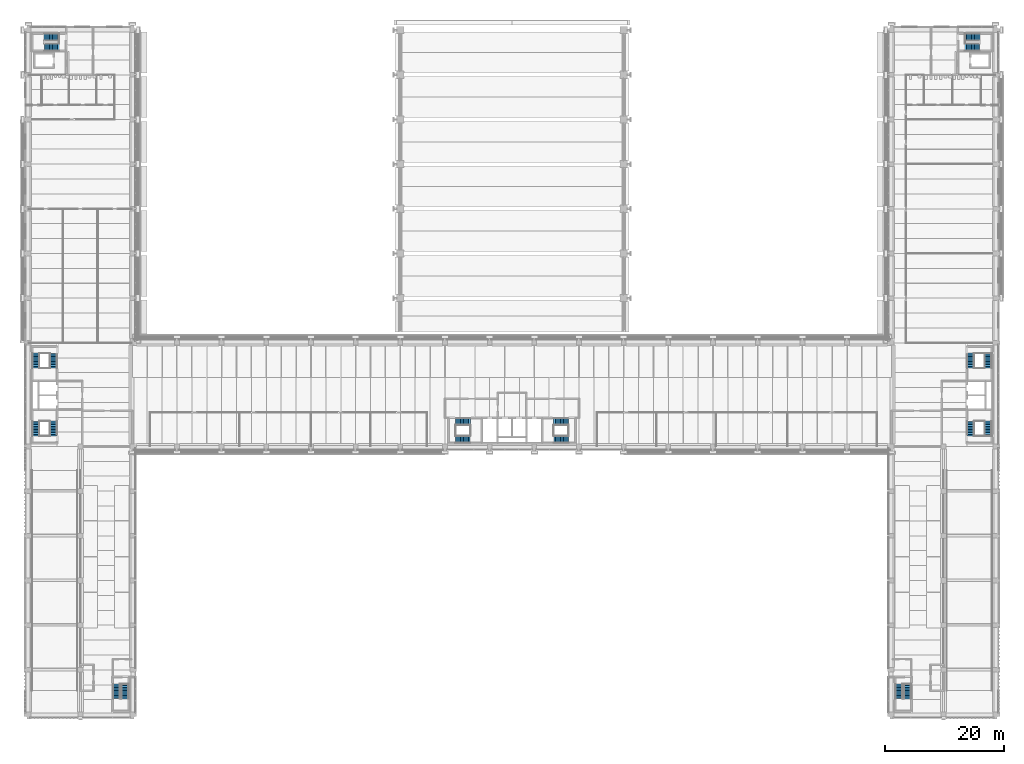
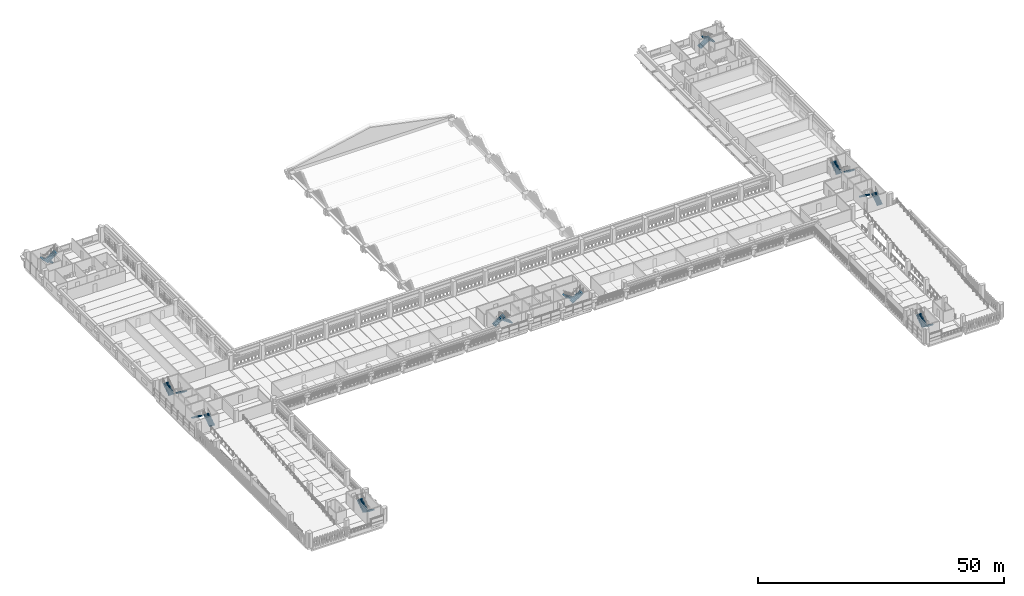
# One storey, part 38 of 71: 20 stair flights, 10 elements without a shape of their own.
"""IFC4 building model written with IfcOpenShell, lengths in metres."""

from ifc_helpers import new_model, si_unit, direction, frame, origin, place, context, subcontext, project, spatial, polyline, outline, extrude, material, type_object, element, aggregate, save


model = new_model("IFC4")

# Units and contexts
model_context = context("Model", 3, precision=1e-05, world=origin(), true_north=direction((0.0, 1.0)))
body_context = subcontext(model_context, "Body", "Model", "MODEL_VIEW")
ifc_project = project(units=[si_unit("LENGTHUNIT", "METRE"), si_unit("AREAUNIT", "SQUARE_METRE"), si_unit("VOLUMEUNIT", "CUBIC_METRE"), si_unit("PLANEANGLEUNIT", "RADIAN"), si_unit("MASSUNIT", "GRAM", prefix="KILO")], contexts=[model_context])

# Site, building, storey
site_placement = place(None, origin())
site = spatial("IfcSite", under=ifc_project, at=site_placement, CompositionType="ELEMENT")
building_placement = place(site_placement, origin())
building = spatial("IfcBuilding", under=site, at=building_placement, Name="Cour d'Honneur Mobility Palace", CompositionType="ELEMENT")
storey_placement = place(building_placement, frame((0.0, 0.0, 15.60009765625)))
storey = spatial("IfcBuildingStorey", under=building, at=storey_placement, Name="L04", CompositionType="ELEMENT", Elevation=15.60009765625)

# Stair, stair flights
ifc_material_1 = material(Name="Concrete C50", Category="concrete")
stair_type = type_object("IfcStairType", Name="Stair 20 risers", PredefinedType="HALF_TURN_STAIR", material=ifc_material_1)
stair_1_placement = place(storey_placement, origin())
stair_1 = element("IfcStair", 1, at=stair_1_placement, inside=storey, type_object=stair_type, Name="Stair ST-CW1", PredefinedType="HALF_TURN_STAIR")
ifc_material_2 = material(Name="Concrete C50", Category="concrete")
stair_flight_type = type_object("IfcStairFlightType", Name="Stair flight 1250", PredefinedType="STRAIGHT", material=ifc_material_2)
stair_flight_1_placement = place(storey_placement, frame((4.175048828125, 46.77490234375, 0.0), z_axis=(0.0, 0.0, 1.0), x_axis=(0.0, 1.0, 0.0)))
stair_flight_1 = element("IfcStairFlight", 2, at=stair_flight_1_placement, type_object=stair_flight_type, Name="ST-CW1 flight 1", NumberOfRisers=10, NumberOfTreads=9, PredefinedType="STRAIGHT", RiserHeight=0.185, TreadLength=0.27, context=body_context, shape_type="SweptSolid", body=[
    extrude(outline(polyline([(0.0, 0.0), (0.0, 0.18505859375), (0.27001953125, 0.18505859375), (0.27001953125, 0.3701171875), (0.5400390625, 0.3701171875), (0.5400390625, 0.554931640625), (0.81005859375, 0.554931640625), (0.81005859375, 0.739990234375), (1.080078125, 0.739990234375), (1.080078125, 0.925048828125), (1.35009765625, 0.925048828125), (1.35009765625, 1.110107421875), (1.6201171875, 1.110107421875), (1.6201171875, 1.294921875), (1.889892578125, 1.294921875), (1.889892578125, 1.47998046875), (2.159912109375, 1.47998046875), (2.159912109375, 1.6650390625), (2.429931640625, 1.6650390625), (2.47998046875, 1.6650390625), (2.47998046875, 1.4833984375), (0.26513671875, 0.0), (0.0, 0.0)])), frame((0.0, 0.625, 0.0), z_axis=(0.0, -1.0, 0.0), x_axis=(1.0, 0.0, 0.0)), (0.0, 0.0, 1.0), 1.25),
])
stair_flight_2_placement = place(storey_placement, frame((1.199951171875, 49.205078125, 1.849853515625), z_axis=(0.0, 0.0, 1.0), x_axis=(0.0, -1.0, 0.0)))
stair_flight_2 = element("IfcStairFlight", 3, at=stair_flight_2_placement, type_object=stair_flight_type, Name="ST-CW1 flight 2", NumberOfRisers=10, NumberOfTreads=9, PredefinedType="STRAIGHT", RiserHeight=0.185, TreadLength=0.27, context=body_context, shape_type="SweptSolid", body=[
    extrude(outline(polyline([(0.0, 0.0), (0.0, 0.18505859375), (0.27001953125, 0.18505859375), (0.27001953125, 0.3701171875), (0.5400390625, 0.3701171875), (0.5400390625, 0.554931640625), (0.81005859375, 0.554931640625), (0.81005859375, 0.739990234375), (1.080078125, 0.739990234375), (1.080078125, 0.925048828125), (1.35009765625, 0.925048828125), (1.35009765625, 1.110107421875), (1.6201171875, 1.110107421875), (1.6201171875, 1.294921875), (1.889892578125, 1.294921875), (1.889892578125, 1.47998046875), (2.159912109375, 1.47998046875), (2.159912109375, 1.6650390625), (2.429931640625, 1.6650390625), (2.47998046875, 1.6650390625), (2.47998046875, 1.4833984375), (0.26513671875, 0.0), (0.0, 0.0)])), frame((0.0, 0.625, 0.0), z_axis=(0.0, -1.0, 0.0), x_axis=(1.0, 0.0, 0.0)), (0.0, 0.0, 1.0), 1.25),
])
aggregate(stair_1, [stair_flight_1, stair_flight_2])

stair_2_placement = place(storey_placement, origin())
stair_2 = element("IfcStair", 4, at=stair_2_placement, inside=storey, type_object=stair_type, Name="Stair ST-CW2", PredefinedType="HALF_TURN_STAIR")
stair_flight_3_placement = place(storey_placement, frame((4.175048828125, 60.625, 0.0), z_axis=(0.0, 0.0, 1.0), x_axis=(0.0, -1.0, 0.0)))
stair_flight_3 = element("IfcStairFlight", 5, at=stair_flight_3_placement, type_object=stair_flight_type, Name="ST-CW2 flight 1", NumberOfRisers=10, NumberOfTreads=9, PredefinedType="STRAIGHT", RiserHeight=0.185, TreadLength=0.27, context=body_context, shape_type="SweptSolid", body=[
    extrude(outline(polyline([(0.0, 0.0), (0.0, 0.18505859375), (0.27001953125, 0.18505859375), (0.27001953125, 0.3701171875), (0.5400390625, 0.3701171875), (0.5400390625, 0.554931640625), (0.81005859375, 0.554931640625), (0.81005859375, 0.739990234375), (1.080078125, 0.739990234375), (1.080078125, 0.925048828125), (1.35009765625, 0.925048828125), (1.35009765625, 1.110107421875), (1.6201171875, 1.110107421875), (1.6201171875, 1.294921875), (1.889892578125, 1.294921875), (1.889892578125, 1.47998046875), (2.159912109375, 1.47998046875), (2.159912109375, 1.6650390625), (2.429931640625, 1.6650390625), (2.47998046875, 1.6650390625), (2.47998046875, 1.4833984375), (0.26513671875, 0.0), (0.0, 0.0)])), frame((0.0, 0.625, 0.0), z_axis=(0.0, -1.0, 0.0), x_axis=(1.0, 0.0, 0.0)), (0.0, 0.0, 1.0), 1.25),
])
stair_flight_4_placement = place(storey_placement, frame((1.199951171875, 58.195068359375, 1.849853515625), z_axis=(0.0, 0.0, 1.0), x_axis=(0.0, 1.0, 0.0)))
stair_flight_4 = element("IfcStairFlight", 6, at=stair_flight_4_placement, type_object=stair_flight_type, Name="ST-CW2 flight 2", NumberOfRisers=10, NumberOfTreads=9, PredefinedType="STRAIGHT", RiserHeight=0.185, TreadLength=0.27, context=body_context, shape_type="SweptSolid", body=[
    extrude(outline(polyline([(0.0, 0.0), (0.0, 0.18505859375), (0.27001953125, 0.18505859375), (0.27001953125, 0.3701171875), (0.5400390625, 0.3701171875), (0.5400390625, 0.554931640625), (0.81005859375, 0.554931640625), (0.81005859375, 0.739990234375), (1.080078125, 0.739990234375), (1.080078125, 0.925048828125), (1.35009765625, 0.925048828125), (1.35009765625, 1.110107421875), (1.6201171875, 1.110107421875), (1.6201171875, 1.294921875), (1.889892578125, 1.294921875), (1.889892578125, 1.47998046875), (2.159912109375, 1.47998046875), (2.159912109375, 1.6650390625), (2.429931640625, 1.6650390625), (2.47998046875, 1.6650390625), (2.47998046875, 1.4833984375), (0.26513671875, 0.0), (0.0, 0.0)])), frame((0.0, 0.625, 0.0), z_axis=(0.0, -1.0, 0.0), x_axis=(1.0, 0.0, 0.0)), (0.0, 0.0, 1.0), 1.25),
])
aggregate(stair_2, [stair_flight_3, stair_flight_4])

stair_3_placement = place(storey_placement, origin())
stair_3 = element("IfcStair", 7, at=stair_3_placement, inside=storey, type_object=stair_type, Name="Stair ST-CE1", PredefinedType="HALF_TURN_STAIR")
stair_flight_5_placement = place(storey_placement, frame((161.10009765625, 46.77490234375, 0.0), z_axis=(0.0, 0.0, 1.0), x_axis=(0.0, 1.0, 0.0)))
stair_flight_5 = element("IfcStairFlight", 8, at=stair_flight_5_placement, type_object=stair_flight_type, Name="ST-CE1 flight 1", NumberOfRisers=10, NumberOfTreads=9, PredefinedType="STRAIGHT", RiserHeight=0.185, TreadLength=0.27, context=body_context, shape_type="SweptSolid", body=[
    extrude(outline(polyline([(0.0, 0.0), (0.0, 0.18505859375), (0.27001953125, 0.18505859375), (0.27001953125, 0.3701171875), (0.5400390625, 0.3701171875), (0.5400390625, 0.554931640625), (0.81005859375, 0.554931640625), (0.81005859375, 0.739990234375), (1.080078125, 0.739990234375), (1.080078125, 0.925048828125), (1.35009765625, 0.925048828125), (1.35009765625, 1.110107421875), (1.6201171875, 1.110107421875), (1.6201171875, 1.294921875), (1.889892578125, 1.294921875), (1.889892578125, 1.47998046875), (2.159912109375, 1.47998046875), (2.159912109375, 1.6650390625), (2.429931640625, 1.6650390625), (2.47998046875, 1.6650390625), (2.47998046875, 1.4833984375), (0.26513671875, 0.0), (0.0, 0.0)])), frame((0.0, 0.625, 0.0), z_axis=(0.0, -1.0, 0.0), x_axis=(1.0, 0.0, 0.0)), (0.0, 0.0, 1.0), 1.25),
])
stair_flight_6_placement = place(storey_placement, frame((158.125, 49.205078125, 1.849853515625), z_axis=(0.0, 0.0, 1.0), x_axis=(0.0, -1.0, 0.0)))
stair_flight_6 = element("IfcStairFlight", 9, at=stair_flight_6_placement, type_object=stair_flight_type, Name="ST-CE1 flight 2", NumberOfRisers=10, NumberOfTreads=9, PredefinedType="STRAIGHT", RiserHeight=0.185, TreadLength=0.27, context=body_context, shape_type="SweptSolid", body=[
    extrude(outline(polyline([(0.0, 0.0), (0.0, 0.18505859375), (0.27001953125, 0.18505859375), (0.27001953125, 0.3701171875), (0.5400390625, 0.3701171875), (0.5400390625, 0.554931640625), (0.81005859375, 0.554931640625), (0.81005859375, 0.739990234375), (1.080078125, 0.739990234375), (1.080078125, 0.925048828125), (1.35009765625, 0.925048828125), (1.35009765625, 1.110107421875), (1.6201171875, 1.110107421875), (1.6201171875, 1.294921875), (1.889892578125, 1.294921875), (1.889892578125, 1.47998046875), (2.159912109375, 1.47998046875), (2.159912109375, 1.6650390625), (2.429931640625, 1.6650390625), (2.47998046875, 1.6650390625), (2.47998046875, 1.4833984375), (0.26513671875, 0.0), (0.0, 0.0)])), frame((0.0, 0.625, 0.0), z_axis=(0.0, -1.0, 0.0), x_axis=(1.0, 0.0, 0.0)), (0.0, 0.0, 1.0), 1.25),
])
aggregate(stair_3, [stair_flight_5, stair_flight_6])

stair_4_placement = place(storey_placement, origin())
stair_4 = element("IfcStair", 10, at=stair_4_placement, inside=storey, type_object=stair_type, Name="Stair ST-CE2", PredefinedType="HALF_TURN_STAIR")
stair_flight_7_placement = place(storey_placement, frame((161.10009765625, 60.625, 0.0), z_axis=(0.0, 0.0, 1.0), x_axis=(0.0, -1.0, 0.0)))
stair_flight_7 = element("IfcStairFlight", 11, at=stair_flight_7_placement, type_object=stair_flight_type, Name="ST-CE2 flight 1", NumberOfRisers=10, NumberOfTreads=9, PredefinedType="STRAIGHT", RiserHeight=0.185, TreadLength=0.27, context=body_context, shape_type="SweptSolid", body=[
    extrude(outline(polyline([(0.0, 0.0), (0.0, 0.18505859375), (0.27001953125, 0.18505859375), (0.27001953125, 0.3701171875), (0.5400390625, 0.3701171875), (0.5400390625, 0.554931640625), (0.81005859375, 0.554931640625), (0.81005859375, 0.739990234375), (1.080078125, 0.739990234375), (1.080078125, 0.925048828125), (1.35009765625, 0.925048828125), (1.35009765625, 1.110107421875), (1.6201171875, 1.110107421875), (1.6201171875, 1.294921875), (1.889892578125, 1.294921875), (1.889892578125, 1.47998046875), (2.159912109375, 1.47998046875), (2.159912109375, 1.6650390625), (2.429931640625, 1.6650390625), (2.47998046875, 1.6650390625), (2.47998046875, 1.4833984375), (0.26513671875, 0.0), (0.0, 0.0)])), frame((0.0, 0.625, 0.0), z_axis=(0.0, -1.0, 0.0), x_axis=(1.0, 0.0, 0.0)), (0.0, 0.0, 1.0), 1.25),
])
stair_flight_8_placement = place(storey_placement, frame((158.125, 58.195068359375, 1.849853515625), z_axis=(0.0, 0.0, 1.0), x_axis=(0.0, 1.0, 0.0)))
stair_flight_8 = element("IfcStairFlight", 12, at=stair_flight_8_placement, type_object=stair_flight_type, Name="ST-CE2 flight 2", NumberOfRisers=10, NumberOfTreads=9, PredefinedType="STRAIGHT", RiserHeight=0.185, TreadLength=0.27, context=body_context, shape_type="SweptSolid", body=[
    extrude(outline(polyline([(0.0, 0.0), (0.0, 0.18505859375), (0.27001953125, 0.18505859375), (0.27001953125, 0.3701171875), (0.5400390625, 0.3701171875), (0.5400390625, 0.554931640625), (0.81005859375, 0.554931640625), (0.81005859375, 0.739990234375), (1.080078125, 0.739990234375), (1.080078125, 0.925048828125), (1.35009765625, 0.925048828125), (1.35009765625, 1.110107421875), (1.6201171875, 1.110107421875), (1.6201171875, 1.294921875), (1.889892578125, 1.294921875), (1.889892578125, 1.47998046875), (2.159912109375, 1.47998046875), (2.159912109375, 1.6650390625), (2.429931640625, 1.6650390625), (2.47998046875, 1.6650390625), (2.47998046875, 1.4833984375), (0.26513671875, 0.0), (0.0, 0.0)])), frame((0.0, 0.625, 0.0), z_axis=(0.0, -1.0, 0.0), x_axis=(1.0, 0.0, 0.0)), (0.0, 0.0, 1.0), 1.25),
])
aggregate(stair_4, [stair_flight_7, stair_flight_8])

stair_5_placement = place(storey_placement, origin())
stair_5 = element("IfcStair", 13, at=stair_5_placement, inside=storey, type_object=stair_type, Name="Stair ST-CC1", PredefinedType="HALF_TURN_STAIR")
stair_flight_9_placement = place(storey_placement, frame((71.675048828125, 49.175048828125, 0.0), z_axis=(0.0, 0.0, 1.0), x_axis=(1.0, 0.0, 0.0)))
stair_flight_9 = element("IfcStairFlight", 14, at=stair_flight_9_placement, type_object=stair_flight_type, Name="ST-CC1 flight 1", NumberOfRisers=10, NumberOfTreads=9, PredefinedType="STRAIGHT", RiserHeight=0.185, TreadLength=0.27, context=body_context, shape_type="SweptSolid", body=[
    extrude(outline(polyline([(0.0, 0.0), (0.0, 0.18505859375), (0.27001953125, 0.18505859375), (0.27001953125, 0.3701171875), (0.5400390625, 0.3701171875), (0.5400390625, 0.554931640625), (0.81005859375, 0.554931640625), (0.81005859375, 0.739990234375), (1.080078125, 0.739990234375), (1.080078125, 0.925048828125), (1.35009765625, 0.925048828125), (1.35009765625, 1.110107421875), (1.6201171875, 1.110107421875), (1.6201171875, 1.294921875), (1.889892578125, 1.294921875), (1.889892578125, 1.47998046875), (2.159912109375, 1.47998046875), (2.159912109375, 1.6650390625), (2.429931640625, 1.6650390625), (2.47998046875, 1.6650390625), (2.47998046875, 1.4833984375), (0.26513671875, 0.0), (0.0, 0.0)])), frame((0.0, 0.625, 0.0), z_axis=(0.0, -1.0, 0.0), x_axis=(1.0, 0.0, 0.0)), (0.0, 0.0, 1.0), 1.25),
])
stair_flight_10_placement = place(storey_placement, frame((74.10498046875, 46.199951171875, 1.849853515625), z_axis=(0.0, 0.0, 1.0), x_axis=(-1.0, 0.0, 0.0)))
stair_flight_10 = element("IfcStairFlight", 15, at=stair_flight_10_placement, type_object=stair_flight_type, Name="ST-CC1 flight 2", NumberOfRisers=10, NumberOfTreads=9, PredefinedType="STRAIGHT", RiserHeight=0.185, TreadLength=0.27, context=body_context, shape_type="SweptSolid", body=[
    extrude(outline(polyline([(0.0, 0.0), (0.0, 0.18505859375), (0.27001953125, 0.18505859375), (0.27001953125, 0.3701171875), (0.5400390625, 0.3701171875), (0.5400390625, 0.554931640625), (0.81005859375, 0.554931640625), (0.81005859375, 0.739990234375), (1.080078125, 0.739990234375), (1.080078125, 0.925048828125), (1.35009765625, 0.925048828125), (1.35009765625, 1.110107421875), (1.6201171875, 1.110107421875), (1.6201171875, 1.294921875), (1.889892578125, 1.294921875), (1.889892578125, 1.47998046875), (2.159912109375, 1.47998046875), (2.159912109375, 1.6650390625), (2.429931640625, 1.6650390625), (2.47998046875, 1.6650390625), (2.47998046875, 1.4833984375), (0.26513671875, 0.0), (0.0, 0.0)])), frame((0.0, 0.625, 0.0), z_axis=(0.0, -1.0, 0.0), x_axis=(1.0, 0.0, 0.0)), (0.0, 0.0, 1.0), 1.25),
])
aggregate(stair_5, [stair_flight_9, stair_flight_10])

stair_6_placement = place(storey_placement, origin())
stair_6 = element("IfcStair", 16, at=stair_6_placement, inside=storey, type_object=stair_type, Name="Stair ST-CC2", PredefinedType="HALF_TURN_STAIR")
stair_flight_11_placement = place(storey_placement, frame((90.625, 49.175048828125, 0.0), z_axis=(0.0, 0.0, 1.0), x_axis=(-1.0, 0.0, 0.0)))
stair_flight_11 = element("IfcStairFlight", 17, at=stair_flight_11_placement, type_object=stair_flight_type, Name="ST-CC2 flight 1", NumberOfRisers=10, NumberOfTreads=9, PredefinedType="STRAIGHT", RiserHeight=0.185, TreadLength=0.27, context=body_context, shape_type="SweptSolid", body=[
    extrude(outline(polyline([(0.0, 0.0), (0.0, 0.18505859375), (0.27001953125, 0.18505859375), (0.27001953125, 0.3701171875), (0.5400390625, 0.3701171875), (0.5400390625, 0.554931640625), (0.81005859375, 0.554931640625), (0.81005859375, 0.739990234375), (1.080078125, 0.739990234375), (1.080078125, 0.925048828125), (1.35009765625, 0.925048828125), (1.35009765625, 1.110107421875), (1.6201171875, 1.110107421875), (1.6201171875, 1.294921875), (1.889892578125, 1.294921875), (1.889892578125, 1.47998046875), (2.159912109375, 1.47998046875), (2.159912109375, 1.6650390625), (2.429931640625, 1.6650390625), (2.47998046875, 1.6650390625), (2.47998046875, 1.4833984375), (0.26513671875, 0.0), (0.0, 0.0)])), frame((0.0, 0.625, 0.0), z_axis=(0.0, -1.0, 0.0), x_axis=(1.0, 0.0, 0.0)), (0.0, 0.0, 1.0), 1.25),
])
stair_flight_12_placement = place(storey_placement, frame((88.195068359375, 46.199951171875, 1.849853515625), z_axis=(0.0, 0.0, 1.0), x_axis=(1.0, 0.0, 0.0)))
stair_flight_12 = element("IfcStairFlight", 18, at=stair_flight_12_placement, type_object=stair_flight_type, Name="ST-CC2 flight 2", NumberOfRisers=10, NumberOfTreads=9, PredefinedType="STRAIGHT", RiserHeight=0.185, TreadLength=0.27, context=body_context, shape_type="SweptSolid", body=[
    extrude(outline(polyline([(0.0, 0.0), (0.0, 0.18505859375), (0.27001953125, 0.18505859375), (0.27001953125, 0.3701171875), (0.5400390625, 0.3701171875), (0.5400390625, 0.554931640625), (0.81005859375, 0.554931640625), (0.81005859375, 0.739990234375), (1.080078125, 0.739990234375), (1.080078125, 0.925048828125), (1.35009765625, 0.925048828125), (1.35009765625, 1.110107421875), (1.6201171875, 1.110107421875), (1.6201171875, 1.294921875), (1.889892578125, 1.294921875), (1.889892578125, 1.47998046875), (2.159912109375, 1.47998046875), (2.159912109375, 1.6650390625), (2.429931640625, 1.6650390625), (2.47998046875, 1.6650390625), (2.47998046875, 1.4833984375), (0.26513671875, 0.0), (0.0, 0.0)])), frame((0.0, 0.625, 0.0), z_axis=(0.0, -1.0, 0.0), x_axis=(1.0, 0.0, 0.0)), (0.0, 0.0, 1.0), 1.25),
])
aggregate(stair_6, [stair_flight_11, stair_flight_12])

stair_7_placement = place(storey_placement, origin())
stair_7 = element("IfcStair", 19, at=stair_7_placement, inside=storey, type_object=stair_type, Name="Stair ST-NW1", PredefinedType="HALF_TURN_STAIR")
stair_flight_13_placement = place(storey_placement, frame((5.10009765625, 113.699951171875, 0.0), z_axis=(0.0, 0.0, 1.0), x_axis=(-1.0, 0.0, 0.0)))
stair_flight_13 = element("IfcStairFlight", 20, at=stair_flight_13_placement, type_object=stair_flight_type, Name="ST-NW1 flight 1", NumberOfRisers=10, NumberOfTreads=9, PredefinedType="STRAIGHT", RiserHeight=0.185, TreadLength=0.27, context=body_context, shape_type="SweptSolid", body=[
    extrude(outline(polyline([(0.0, 0.0), (0.0, 0.18505859375), (0.27001953125, 0.18505859375), (0.27001953125, 0.3701171875), (0.5400390625, 0.3701171875), (0.5400390625, 0.554931640625), (0.81005859375, 0.554931640625), (0.81005859375, 0.739990234375), (1.080078125, 0.739990234375), (1.080078125, 0.925048828125), (1.35009765625, 0.925048828125), (1.35009765625, 1.110107421875), (1.6201171875, 1.110107421875), (1.6201171875, 1.294921875), (1.889892578125, 1.294921875), (1.889892578125, 1.47998046875), (2.159912109375, 1.47998046875), (2.159912109375, 1.6650390625), (2.429931640625, 1.6650390625), (2.47998046875, 1.6650390625), (2.47998046875, 1.4833984375), (0.26513671875, 0.0), (0.0, 0.0)])), frame((0.0, 0.625, 0.0), z_axis=(0.0, -1.0, 0.0), x_axis=(1.0, 0.0, 0.0)), (0.0, 0.0, 1.0), 1.25),
])
stair_flight_14_placement = place(storey_placement, frame((2.669921875, 112.02490234375, 1.849853515625), z_axis=(0.0, 0.0, 1.0), x_axis=(1.0, 0.0, 0.0)))
stair_flight_14 = element("IfcStairFlight", 21, at=stair_flight_14_placement, type_object=stair_flight_type, Name="ST-NW1 flight 2", NumberOfRisers=10, NumberOfTreads=9, PredefinedType="STRAIGHT", RiserHeight=0.185, TreadLength=0.27, context=body_context, shape_type="SweptSolid", body=[
    extrude(outline(polyline([(0.0, 0.0), (0.0, 0.18505859375), (0.27001953125, 0.18505859375), (0.27001953125, 0.3701171875), (0.5400390625, 0.3701171875), (0.5400390625, 0.554931640625), (0.81005859375, 0.554931640625), (0.81005859375, 0.739990234375), (1.080078125, 0.739990234375), (1.080078125, 0.925048828125), (1.35009765625, 0.925048828125), (1.35009765625, 1.110107421875), (1.6201171875, 1.110107421875), (1.6201171875, 1.294921875), (1.889892578125, 1.294921875), (1.889892578125, 1.47998046875), (2.159912109375, 1.47998046875), (2.159912109375, 1.6650390625), (2.429931640625, 1.6650390625), (2.47998046875, 1.6650390625), (2.47998046875, 1.4833984375), (0.26513671875, 0.0), (0.0, 0.0)])), frame((0.0, 0.625, 0.0), z_axis=(0.0, -1.0, 0.0), x_axis=(1.0, 0.0, 0.0)), (0.0, 0.0, 1.0), 1.25),
])
aggregate(stair_7, [stair_flight_13, stair_flight_14])

stair_8_placement = place(storey_placement, origin())
stair_8 = element("IfcStair", 22, at=stair_8_placement, inside=storey, type_object=stair_type, Name="Stair ST-NE1", PredefinedType="HALF_TURN_STAIR")
stair_flight_15_placement = place(storey_placement, frame((157.199951171875, 113.699951171875, 0.0), z_axis=(0.0, 0.0, 1.0), x_axis=(1.0, 0.0, 0.0)))
stair_flight_15 = element("IfcStairFlight", 23, at=stair_flight_15_placement, type_object=stair_flight_type, Name="ST-NE1 flight 1", NumberOfRisers=10, NumberOfTreads=9, PredefinedType="STRAIGHT", RiserHeight=0.185, TreadLength=0.27, context=body_context, shape_type="SweptSolid", body=[
    extrude(outline(polyline([(0.0, 0.0), (0.0, 0.18505859375), (0.27001953125, 0.18505859375), (0.27001953125, 0.3701171875), (0.5400390625, 0.3701171875), (0.5400390625, 0.554931640625), (0.81005859375, 0.554931640625), (0.81005859375, 0.739990234375), (1.080078125, 0.739990234375), (1.080078125, 0.925048828125), (1.35009765625, 0.925048828125), (1.35009765625, 1.110107421875), (1.6201171875, 1.110107421875), (1.6201171875, 1.294921875), (1.889892578125, 1.294921875), (1.889892578125, 1.47998046875), (2.159912109375, 1.47998046875), (2.159912109375, 1.6650390625), (2.429931640625, 1.6650390625), (2.47998046875, 1.6650390625), (2.47998046875, 1.4833984375), (0.26513671875, 0.0), (0.0, 0.0)])), frame((0.0, 0.625, 0.0), z_axis=(0.0, -1.0, 0.0), x_axis=(1.0, 0.0, 0.0)), (0.0, 0.0, 1.0), 1.25),
])
stair_flight_16_placement = place(storey_placement, frame((159.6298828125, 112.02490234375, 1.849853515625), z_axis=(0.0, 0.0, 1.0), x_axis=(-1.0, 0.0, 0.0)))
stair_flight_16 = element("IfcStairFlight", 24, at=stair_flight_16_placement, type_object=stair_flight_type, Name="ST-NE1 flight 2", NumberOfRisers=10, NumberOfTreads=9, PredefinedType="STRAIGHT", RiserHeight=0.185, TreadLength=0.27, context=body_context, shape_type="SweptSolid", body=[
    extrude(outline(polyline([(0.0, 0.0), (0.0, 0.18505859375), (0.27001953125, 0.18505859375), (0.27001953125, 0.3701171875), (0.5400390625, 0.3701171875), (0.5400390625, 0.554931640625), (0.81005859375, 0.554931640625), (0.81005859375, 0.739990234375), (1.080078125, 0.739990234375), (1.080078125, 0.925048828125), (1.35009765625, 0.925048828125), (1.35009765625, 1.110107421875), (1.6201171875, 1.110107421875), (1.6201171875, 1.294921875), (1.889892578125, 1.294921875), (1.889892578125, 1.47998046875), (2.159912109375, 1.47998046875), (2.159912109375, 1.6650390625), (2.429931640625, 1.6650390625), (2.47998046875, 1.6650390625), (2.47998046875, 1.4833984375), (0.26513671875, 0.0), (0.0, 0.0)])), frame((0.0, 0.625, 0.0), z_axis=(0.0, -1.0, 0.0), x_axis=(1.0, 0.0, 0.0)), (0.0, 0.0, 1.0), 1.25),
])
aggregate(stair_8, [stair_flight_15, stair_flight_16])

stair_9_placement = place(storey_placement, origin())
stair_9 = element("IfcStair", 25, at=stair_9_placement, inside=storey, type_object=stair_type, Name="Stair ST-RW1", PredefinedType="HALF_TURN_STAIR")
stair_flight_17_placement = place(storey_placement, frame((16.199951171875, 5.10009765625, 0.0), z_axis=(0.0, 0.0, 1.0), x_axis=(0.0, -1.0, 0.0)))
stair_flight_17 = element("IfcStairFlight", 26, at=stair_flight_17_placement, type_object=stair_flight_type, Name="ST-RW1 flight 1", NumberOfRisers=10, NumberOfTreads=9, PredefinedType="STRAIGHT", RiserHeight=0.185, TreadLength=0.27, context=body_context, shape_type="SweptSolid", body=[
    extrude(outline(polyline([(0.0, 0.0), (0.0, 0.18505859375), (0.27001953125, 0.18505859375), (0.27001953125, 0.3701171875), (0.5400390625, 0.3701171875), (0.5400390625, 0.554931640625), (0.81005859375, 0.554931640625), (0.81005859375, 0.739990234375), (1.080078125, 0.739990234375), (1.080078125, 0.925048828125), (1.35009765625, 0.925048828125), (1.35009765625, 1.110107421875), (1.6201171875, 1.110107421875), (1.6201171875, 1.294921875), (1.889892578125, 1.294921875), (1.889892578125, 1.47998046875), (2.159912109375, 1.47998046875), (2.159912109375, 1.6650390625), (2.429931640625, 1.6650390625), (2.47998046875, 1.6650390625), (2.47998046875, 1.4833984375), (0.26513671875, 0.0), (0.0, 0.0)])), frame((0.0, 0.625, 0.0), z_axis=(0.0, -1.0, 0.0), x_axis=(1.0, 0.0, 0.0)), (0.0, 0.0, 1.0), 1.25),
])
stair_flight_18_placement = place(storey_placement, frame((14.72509765625, 2.669921875, 1.849853515625), z_axis=(0.0, 0.0, 1.0), x_axis=(0.0, 1.0, 0.0)))
stair_flight_18 = element("IfcStairFlight", 27, at=stair_flight_18_placement, type_object=stair_flight_type, Name="ST-RW1 flight 2", NumberOfRisers=10, NumberOfTreads=9, PredefinedType="STRAIGHT", RiserHeight=0.185, TreadLength=0.27, context=body_context, shape_type="SweptSolid", body=[
    extrude(outline(polyline([(0.0, 0.0), (0.0, 0.18505859375), (0.27001953125, 0.18505859375), (0.27001953125, 0.3701171875), (0.5400390625, 0.3701171875), (0.5400390625, 0.554931640625), (0.81005859375, 0.554931640625), (0.81005859375, 0.739990234375), (1.080078125, 0.739990234375), (1.080078125, 0.925048828125), (1.35009765625, 0.925048828125), (1.35009765625, 1.110107421875), (1.6201171875, 1.110107421875), (1.6201171875, 1.294921875), (1.889892578125, 1.294921875), (1.889892578125, 1.47998046875), (2.159912109375, 1.47998046875), (2.159912109375, 1.6650390625), (2.429931640625, 1.6650390625), (2.47998046875, 1.6650390625), (2.47998046875, 1.4833984375), (0.26513671875, 0.0), (0.0, 0.0)])), frame((0.0, 0.625, 0.0), z_axis=(0.0, -1.0, 0.0), x_axis=(1.0, 0.0, 0.0)), (0.0, 0.0, 1.0), 1.25),
])
aggregate(stair_9, [stair_flight_17, stair_flight_18])

stair_10_placement = place(storey_placement, origin())
stair_10 = element("IfcStair", 28, at=stair_10_placement, inside=storey, type_object=stair_type, Name="Stair ST-RE1", PredefinedType="HALF_TURN_STAIR")
stair_flight_19_placement = place(storey_placement, frame((147.574951171875, 5.10009765625, 0.0), z_axis=(0.0, 0.0, 1.0), x_axis=(0.0, -1.0, 0.0)))
stair_flight_19 = element("IfcStairFlight", 29, at=stair_flight_19_placement, type_object=stair_flight_type, Name="ST-RE1 flight 1", NumberOfRisers=10, NumberOfTreads=9, PredefinedType="STRAIGHT", RiserHeight=0.185, TreadLength=0.27, context=body_context, shape_type="SweptSolid", body=[
    extrude(outline(polyline([(0.0, 0.0), (0.0, 0.18505859375), (0.27001953125, 0.18505859375), (0.27001953125, 0.3701171875), (0.5400390625, 0.3701171875), (0.5400390625, 0.554931640625), (0.81005859375, 0.554931640625), (0.81005859375, 0.739990234375), (1.080078125, 0.739990234375), (1.080078125, 0.925048828125), (1.35009765625, 0.925048828125), (1.35009765625, 1.110107421875), (1.6201171875, 1.110107421875), (1.6201171875, 1.294921875), (1.889892578125, 1.294921875), (1.889892578125, 1.47998046875), (2.159912109375, 1.47998046875), (2.159912109375, 1.6650390625), (2.429931640625, 1.6650390625), (2.47998046875, 1.6650390625), (2.47998046875, 1.4833984375), (0.26513671875, 0.0), (0.0, 0.0)])), frame((0.0, 0.625, 0.0), z_axis=(0.0, -1.0, 0.0), x_axis=(1.0, 0.0, 0.0)), (0.0, 0.0, 1.0), 1.25),
])
stair_flight_20_placement = place(storey_placement, frame((146.10009765625, 2.669921875, 1.849853515625), z_axis=(0.0, 0.0, 1.0), x_axis=(0.0, 1.0, 0.0)))
stair_flight_20 = element("IfcStairFlight", 30, at=stair_flight_20_placement, type_object=stair_flight_type, Name="ST-RE1 flight 2", NumberOfRisers=10, NumberOfTreads=9, PredefinedType="STRAIGHT", RiserHeight=0.185, TreadLength=0.27, context=body_context, shape_type="SweptSolid", body=[
    extrude(outline(polyline([(0.0, 0.0), (0.0, 0.18505859375), (0.27001953125, 0.18505859375), (0.27001953125, 0.3701171875), (0.5400390625, 0.3701171875), (0.5400390625, 0.554931640625), (0.81005859375, 0.554931640625), (0.81005859375, 0.739990234375), (1.080078125, 0.739990234375), (1.080078125, 0.925048828125), (1.35009765625, 0.925048828125), (1.35009765625, 1.110107421875), (1.6201171875, 1.110107421875), (1.6201171875, 1.294921875), (1.889892578125, 1.294921875), (1.889892578125, 1.47998046875), (2.159912109375, 1.47998046875), (2.159912109375, 1.6650390625), (2.429931640625, 1.6650390625), (2.47998046875, 1.6650390625), (2.47998046875, 1.4833984375), (0.26513671875, 0.0), (0.0, 0.0)])), frame((0.0, 0.625, 0.0), z_axis=(0.0, -1.0, 0.0), x_axis=(1.0, 0.0, 0.0)), (0.0, 0.0, 1.0), 1.25),
])
aggregate(stair_10, [stair_flight_19, stair_flight_20])

save(model, "model.ifc")
